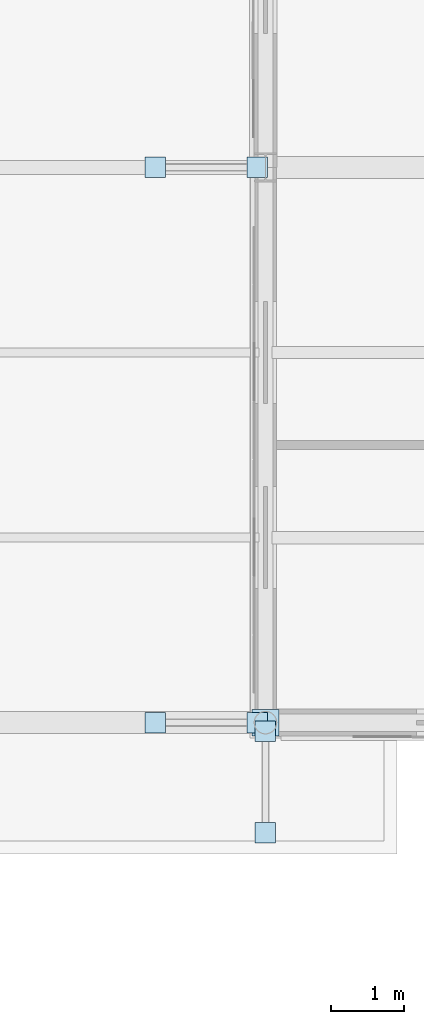
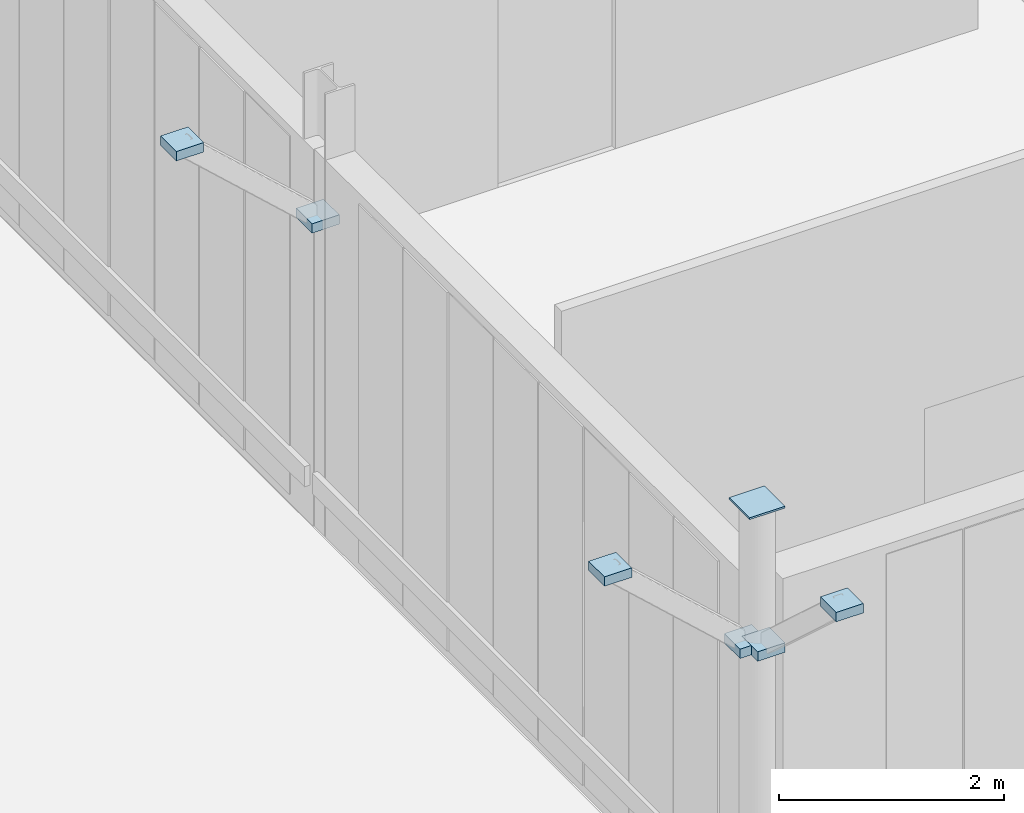
# One storey, part 89 of 120: 7 plates.
"""IFC4 building model written with IfcOpenShell, lengths in metres."""

from ifc_helpers import new_model, si_unit, direction, frame, origin, origin_2d, place, context, subcontext, project, spatial, rectangle, extrude, material, layer, layer_set, type_object, element, save


model = new_model("IFC4")

# Units and contexts
model_context = context("Model", 3, precision=1e-05, world=origin(), true_north=direction((0.0, 1.0)))
body_context = subcontext(model_context, "Body", "Model", "MODEL_VIEW")
ifc_project = project(units=[si_unit("LENGTHUNIT", "METRE"), si_unit("AREAUNIT", "SQUARE_METRE"), si_unit("VOLUMEUNIT", "CUBIC_METRE"), si_unit("PLANEANGLEUNIT", "RADIAN"), si_unit("MASSUNIT", "GRAM", prefix="KILO")], contexts=[model_context])

# Site, building, storey
site_placement = place(None, origin())
site = spatial("IfcSite", under=ifc_project, at=site_placement, CompositionType="ELEMENT")
building_placement = place(site_placement, origin())
building = spatial("IfcBuilding", under=site, at=building_placement, Name="Vekula Escarpment Museum", CompositionType="ELEMENT")
storey_placement = place(building_placement, frame((0.0, 0.0, 13.199951171875)))
storey = spatial("IfcBuildingStorey", under=building, at=storey_placement, Name="L03", CompositionType="ELEMENT", Elevation=13.199951171875)

# Plates
ifc_material_1 = material(Name="Steel S355", Category="steel")
ifc_layer_1 = layer(ifc_material_1, 0.01611328125)
ifc_layer_set_1 = layer_set([ifc_layer_1], Name="Steel S355")
plate_type_1 = type_object("IfcPlateType", Name="PL-CAP-16", PredefinedType="SHEET", material=ifc_layer_set_1)
for number, where, z_axis, x_axis, name in (
    (1, (23.88525390625, 113.199951171875, 3.294189453125), (0.0, 0.0, 1.0), (1.0, 0.0, 0.0), "Hollow section end cap CP-16"),
    (2, (22.49462890625, 113.199951171875, 4.56396484375), (0.0, 0.0, 1.0), (1.0, 0.0, 0.0), "Hollow section end cap CP-16"),
    (3, (24.0, 113.085205078125, 3.294189453125), (0.0, 0.0, 1.0), (1.0, 0.0, 0.0), "Hollow section end cap CP-16"),
    (4, (24.0, 111.694580078125, 4.56396484375), (0.0, 0.0, 1.0), (1.0, 0.0, 0.0), "Hollow section end cap CP-16"),
    (5, (23.88525390625, 120.800048828125, 3.294189453125), (0.0, 0.0, 1.0), (1.0, 0.0, 0.0), "Hollow section end cap CP-16"),
    (6, (22.49462890625, 120.800048828125, 4.56396484375), (0.0, 0.0, 1.0), (1.0, 0.0, 0.0), "Hollow section end cap CP-16"),
):
    element("IfcPlate", number, at=place(storey_placement, frame(where, z_axis=z_axis, x_axis=x_axis)), inside=storey, type_object=plate_type_1, Name=name, PredefinedType="SHEET", context=body_context, shape_type="SweptSolid", body=[
        extrude(rectangle(XDim=0.280029296875, YDim=0.280029296875, at=origin_2d()), origin(), (0.0, 0.0, 1.0), 0.10205078125),
    ])
ifc_material_2 = material(Name="Steel S355", Category="steel")
ifc_layer_2 = layer(ifc_material_2, 0.02001953125)
ifc_layer_set_2 = layer_set([ifc_layer_2], Name="Steel S355")
plate_type_2 = type_object("IfcPlateType", Name="PL-CAP-20", PredefinedType="SHEET", material=ifc_layer_set_2)
plate_placement = place(storey_placement, frame((24.0, 113.199951171875, 4.798095703125), z_axis=(0.0, 0.0, 1.0), x_axis=(1.0, 0.0, 0.0)))
element("IfcPlate", 7, at=plate_placement, inside=storey, type_object=plate_type_2, Name="Hollow section end cap CP-20", PredefinedType="SHEET", context=body_context, shape_type="SweptSolid", body=[
    extrude(rectangle(XDim=0.364013671875, YDim=0.364013671875, at=origin_2d()), origin(), (0.0, 0.0, 1.0), 0.02001953125),
])

save(model, "model.ifc")
